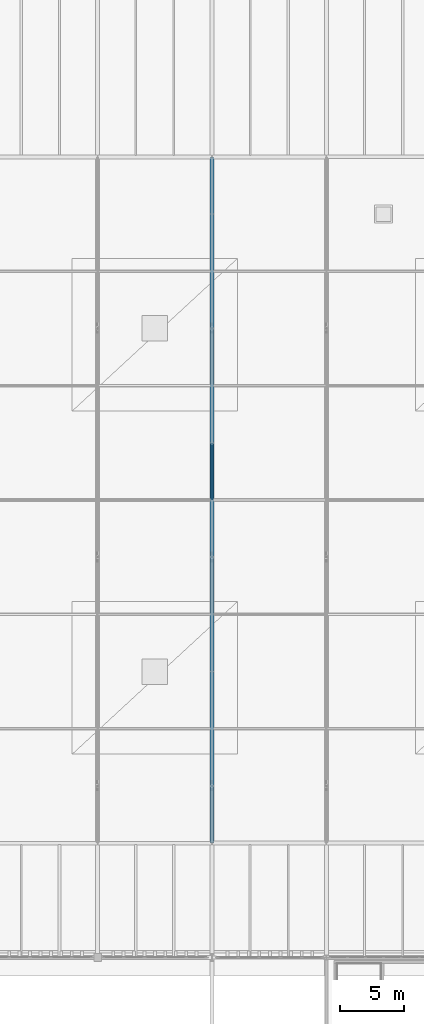
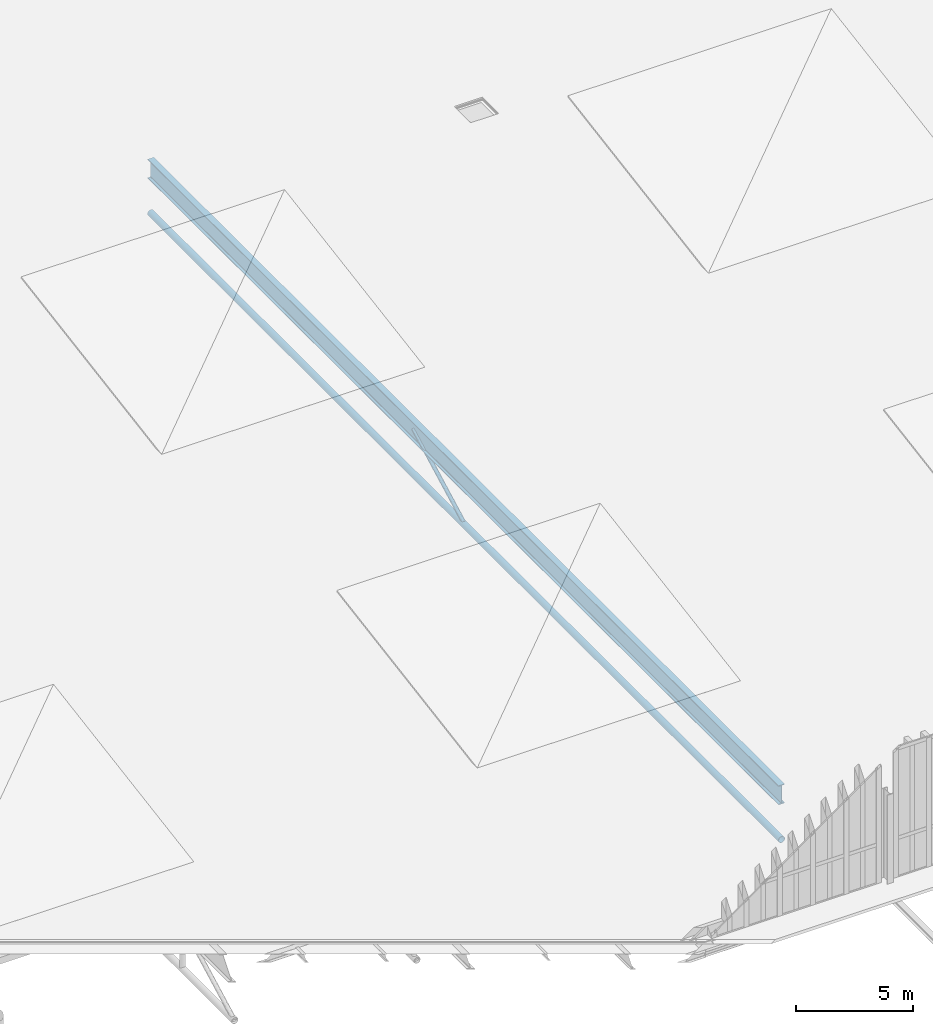
# One storey, part 61 of 196: 2 members, 1 beam.
"""IFC4 building model written with IfcOpenShell, lengths in metres."""

from ifc_helpers import new_model, si_unit, direction, frame, origin, origin_2d, place, context, subcontext, project, spatial, hollow_circle, i_section, extrude, material, material_profile, profile_set, type_object, element, save


model = new_model("IFC4")

# Units and contexts
model_context = context("Model", 3, precision=1e-05, world=origin(), true_north=direction((0.0, 1.0)))
body_context = subcontext(model_context, "Body", "Model", "MODEL_VIEW")
ifc_project = project(units=[si_unit("LENGTHUNIT", "METRE"), si_unit("AREAUNIT", "SQUARE_METRE"), si_unit("VOLUMEUNIT", "CUBIC_METRE"), si_unit("PLANEANGLEUNIT", "RADIAN"), si_unit("MASSUNIT", "GRAM", prefix="KILO")], contexts=[model_context])

# Site, building, storey
site_placement = place(None, origin())
site = spatial("IfcSite", under=ifc_project, at=site_placement, CompositionType="ELEMENT")
building_placement = place(site_placement, origin())
building = spatial("IfcBuilding", under=site, at=building_placement, Name="Barlavento Convention Centre", CompositionType="ELEMENT")
storey_placement = place(building_placement, frame((0.0, 0.0, 18.0)))
storey = spatial("IfcBuildingStorey", under=building, at=storey_placement, Name="L03", CompositionType="ELEMENT", Elevation=18.0)

# Beam
ifc_material_1 = material(Name="Steel S460", Category="steel")
ifc_material_profile_1 = material_profile(ifc_material_1, i_section(OverallWidth=0.300048828125, OverallDepth=1.0, WebThickness=0.01904296875, FlangeThickness=0.035888671875, FilletRadius=0.030029296875, at=origin_2d()), Name="HEB 1000")
ifc_profile_set_1 = profile_set([ifc_material_profile_1], Name="Steel S460")
beam_type = type_object("IfcBeamType", Name="STR-BM-EXH-HEB1000", PredefinedType="BEAM", material=ifc_profile_set_1)
beam_placement = place(storey_placement, frame((54.0, 63.02001953125, -0.844970703125), z_axis=(0.0, 1.0, 0.0), x_axis=(-1.0, 0.0, 0.0)))
element("IfcBeam", 1, at=beam_placement, inside=storey, type_object=beam_type, Name="Exhibition roof space frame top girder", PredefinedType="BEAM", context=body_context, shape_type="SweptSolid", body=[
    extrude(i_section(OverallWidth=0.300048828125, OverallDepth=1.0, WebThickness=0.01904296875, FlangeThickness=0.035888671875, FilletRadius=0.030029296875, at=origin_2d()), origin(), (0.0, 0.0, 1.0), 53.9599609375),
])

# Members
ifc_material_2 = material(Name="Steel S355", Category="steel")
ifc_material_profile_2 = material_profile(ifc_material_2, hollow_circle(Radius=0.161865234375, WallThickness=0.01611328125, at=origin_2d()), Name="CHS 323.9x16.0")
ifc_profile_set_2 = profile_set([ifc_material_profile_2], Name="Steel S355")
member_type_1 = type_object("IfcMemberType", Name="STR-MEM-CHD-CHS323", PredefinedType="CHORD", material=ifc_profile_set_2)
member_1_placement = place(storey_placement, frame((54.0, 63.02001953125, -3.199951171875), z_axis=(0.0, 1.0, 0.0), x_axis=(-1.0, 0.0, 0.0)))
element("IfcMember", 2, at=member_1_placement, inside=storey, type_object=member_type_1, Name="Exhibition space frame bottom chord TC02", PredefinedType="CHORD", context=body_context, shape_type="SweptSolid", body=[
    extrude(hollow_circle(Radius=0.161865234375, WallThickness=0.01611328125, at=origin_2d()), origin(), (0.0, 0.0, 1.0), 53.9599609375),
])
ifc_material_profile_3 = material_profile(ifc_material_2, hollow_circle(Radius=0.096923828125, WallThickness=0.010009765625, at=origin_2d()), Name="CHS 193.7x10.0")
ifc_profile_set_3 = profile_set([ifc_material_profile_3], Name="Steel S355")
member_type_2 = type_object("IfcMemberType", Name="STR-MEM-DIAG-CHS193", PredefinedType="RAFTER", material=ifc_profile_set_3)
member_2_placement = place(storey_placement, frame((54.0, 90.050048828125, -3.199951171875), z_axis=(0.0, 0.883859857229, 0.467751806816), x_axis=(-1.0, 0.0, 0.0)))
element("IfcMember", 3, at=member_2_placement, inside=storey, type_object=member_type_2, Name="Exhibition space frame web diagonal", PredefinedType="RAFTER", context=body_context, shape_type="SweptSolid", body=[
    extrude(hollow_circle(Radius=0.096923828125, WallThickness=0.010009765625, at=origin_2d()), origin(), (0.0, 0.0, 1.0), 5.03466796875),
])

save(model, "model.ifc")
